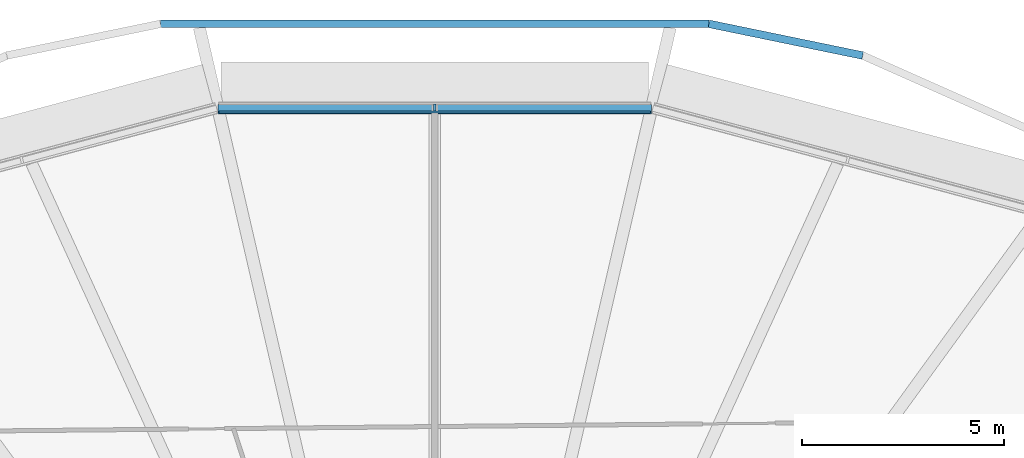
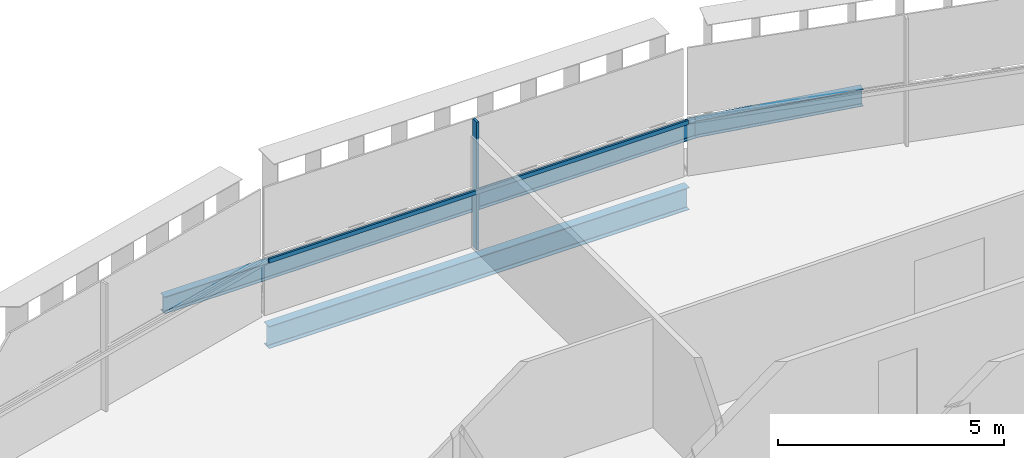
# One storey, part 8 of 23: 3 beams, 2 members, 1 element without a shape of its own.
"""IFC4 building model written with IfcOpenShell, lengths in metres."""

from ifc_helpers import new_model, si_unit, direction, frame, origin, origin_2d, place, context, subcontext, project, spatial, rectangle, i_section, extrude, material, layer, layer_set, material_profile, profile_set, type_object, element, aggregate, save


model = new_model("IFC4")

# Units and contexts
model_context = context("Model", 3, precision=1e-05, world=origin(), true_north=direction((0.0, 1.0)))
body_context = subcontext(model_context, "Body", "Model", "MODEL_VIEW")
ifc_project = project(units=[si_unit("LENGTHUNIT", "METRE"), si_unit("AREAUNIT", "SQUARE_METRE"), si_unit("VOLUMEUNIT", "CUBIC_METRE"), si_unit("PLANEANGLEUNIT", "RADIAN"), si_unit("MASSUNIT", "GRAM", prefix="KILO")], contexts=[model_context])

# Site, building, storey
site_placement = place(None, origin())
site = spatial("IfcSite", under=ifc_project, at=site_placement, CompositionType="ELEMENT")
building_placement = place(site_placement, origin())
building = spatial("IfcBuilding", under=site, at=building_placement, Name="Sahrelin Media Tower", CompositionType="ELEMENT")
storey_placement = place(building_placement, frame((0.0, 0.0, 169.60009765625)))
storey = spatial("IfcBuildingStorey", under=building, at=storey_placement, Name="L35", CompositionType="ELEMENT", Elevation=169.60009765625)

# Beam
ifc_material_1 = material(Name="Steel S355", Category="steel")
ifc_material_profile_1 = material_profile(ifc_material_1, i_section(OverallWidth=0.2275390625, OverallDepth=0.6025390625, WebThickness=0.010498046875, FlangeThickness=0.014892578125, FilletRadius=0.0126953125, at=origin_2d()), Name="UB 610x229x101")
ifc_profile_set_1 = profile_set([ifc_material_profile_1], Name="Steel S355")
beam_type_1 = type_object("IfcBeamType", Name="Edge beam EB7", PredefinedType="BEAM", material=ifc_profile_set_1)
beam_1_placement = place(storey_placement, frame((-5.37109375, 23.278564453125, -0.451416015625), z_axis=(1.0, 0.0, 0.0), x_axis=(0.0, 1.0, 0.0)))
element("IfcBeam", 1, at=beam_1_placement, inside=storey, type_object=beam_type_1, Name="Edge beam L35-19", PredefinedType="BEAM", context=body_context, shape_type="SweptSolid", body=[
    extrude(i_section(OverallWidth=0.2275390625, OverallDepth=0.6025390625, WebThickness=0.010498046875, FlangeThickness=0.014892578125, FilletRadius=0.0126953125, at=origin_2d()), origin(), (0.0, 0.0, 1.0), 10.7421875),
])

# Curtain wall, member
ifc_material_2 = material(Name="Champagne anodised aluminium 6063-T6", Category="aluminium")
ifc_layer = layer(ifc_material_2, 0.14990234375)
ifc_layer_set = layer_set([ifc_layer], Name="Tower ribbon curtain wall")
curtain_wall_type = type_object("IfcCurtainWallType", Name="Tower ribbon curtain wall", PredefinedType="NOTDEFINED", material=ifc_layer_set)
curtain_wall_placement = place(storey_placement, frame((0.0, 23.428466796875, 0.0), z_axis=(0.0, 0.0, 1.0), x_axis=(1.0, 0.0, 0.0)))
curtain_wall = element("IfcCurtainWall", 2, at=curtain_wall_placement, inside=storey, type_object=curtain_wall_type, Name="L35:CW:L35-06", PredefinedType="NOTDEFINED")
ifc_material_profile_2 = material_profile(ifc_material_2, rectangle(XDim=0.06005859375, YDim=0.175048828125, at=origin_2d()), Name="Mullion 60x175")
ifc_profile_set_2 = profile_set([ifc_material_profile_2], Name="Champagne anodised aluminium 6063-T6")
member_type_1 = type_object("IfcMemberType", Name="Mullion 60x175 CW1B", PredefinedType="MULLION", material=ifc_profile_set_2)
member_1_placement = place(storey_placement, frame((0.0, 23.321044921875, 0.0), z_axis=(0.0, 0.0, 1.0), x_axis=(-1.0, 0.0, 0.0)))
member_1 = element("IfcMember", 3, at=member_1_placement, type_object=member_type_1, Name="L35:CWM:L35-06", PredefinedType="MULLION", context=body_context, shape_type="SweptSolid", body=[
    extrude(rectangle(XDim=0.06005859375, YDim=0.175048828125, at=origin_2d()), origin(), (0.0, 0.0, 1.0), 3.448486328125),
])

# Beams
ifc_material_profile_3 = material_profile(ifc_material_1, i_section(OverallWidth=0.1904296875, OverallDepth=0.45703125, WebThickness=0.009033203125, FlangeThickness=0.014404296875, FilletRadius=0.01025390625, at=origin_2d()), Name="UB 457x191x74")
ifc_profile_set_3 = profile_set([ifc_material_profile_3], Name="Steel S355")
beam_type_2 = type_object("IfcBeamType", Name="Tie chord TC5", PredefinedType="BEAM", material=ifc_profile_set_3)
beam_2_placement = place(storey_placement, frame((10.610107421875, 24.6103515625, -0.378662109375), z_axis=(-0.979388114358, 0.201987428952, 0.0), x_axis=(-0.201987428952, -0.979388114358, 0.0)))
element("IfcBeam", 4, at=beam_2_placement, inside=storey, type_object=beam_type_2, Name="Tie chord L35-05", PredefinedType="BEAM", context=body_context, shape_type="SweptSolid", body=[
    extrude(i_section(OverallWidth=0.1904296875, OverallDepth=0.45703125, WebThickness=0.009033203125, FlangeThickness=0.014404296875, FilletRadius=0.01025390625, at=origin_2d()), origin(), (0.0, 0.0, 1.0), 3.89208984375),
])
beam_3_placement = place(storey_placement, frame((6.79833984375, 25.396484375, -0.378662109375), z_axis=(-1.0, 0.0, 0.0), x_axis=(0.0, -1.0, 0.0)))
element("IfcBeam", 5, at=beam_3_placement, inside=storey, type_object=beam_type_2, Name="Tie chord L35-06", PredefinedType="BEAM", context=body_context, shape_type="SweptSolid", body=[
    extrude(i_section(OverallWidth=0.1904296875, OverallDepth=0.45703125, WebThickness=0.009033203125, FlangeThickness=0.014404296875, FilletRadius=0.01025390625, at=origin_2d()), origin(), (0.0, 0.0, 1.0), 13.5966796875),
])

# Member
ifc_material_profile_4 = material_profile(ifc_material_2, rectangle(XDim=0.050048828125, YDim=0.110107421875, at=origin_2d()), Name="Transom 50x110")
ifc_profile_set_4 = profile_set([ifc_material_profile_4], Name="Champagne anodised aluminium 6063-T6")
member_type_2 = type_object("IfcMemberType", Name="Transom 50x110 CW1B", PredefinedType="USERDEFINED", material=ifc_profile_set_4)
member_2_placement = place(storey_placement, frame((5.35546875, 23.20849609375, 1.599853515625), z_axis=(-1.0, 0.0, 0.0), x_axis=(0.0, -1.0, 0.0)))
member_2 = element("IfcMember", 6, at=member_2_placement, type_object=member_type_2, Name="L35:CWT:L35-06", ObjectType="TRANSOM", PredefinedType="USERDEFINED", context=body_context, shape_type="SweptSolid", body=[
    extrude(rectangle(XDim=0.050048828125, YDim=0.110107421875, at=origin_2d()), origin(), (0.0, 0.0, 1.0), 10.7109375),
])

aggregate(curtain_wall, [member_1, member_2])

save(model, "model.ifc")
